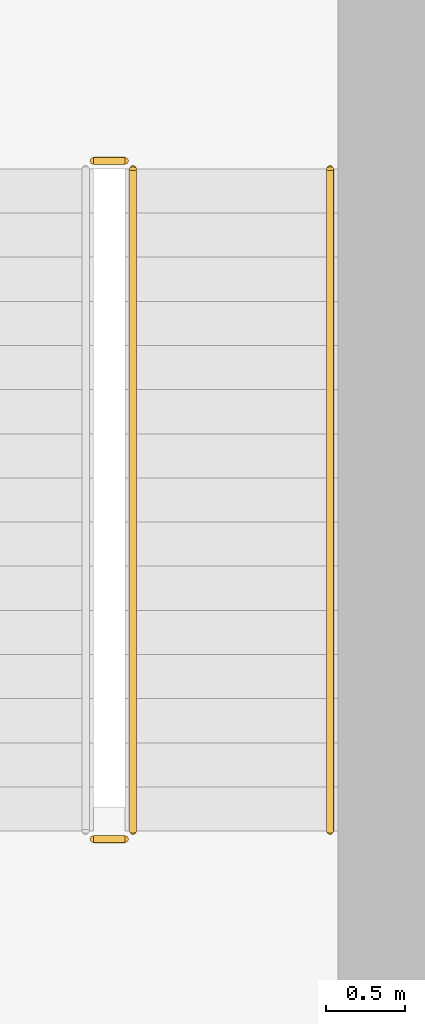
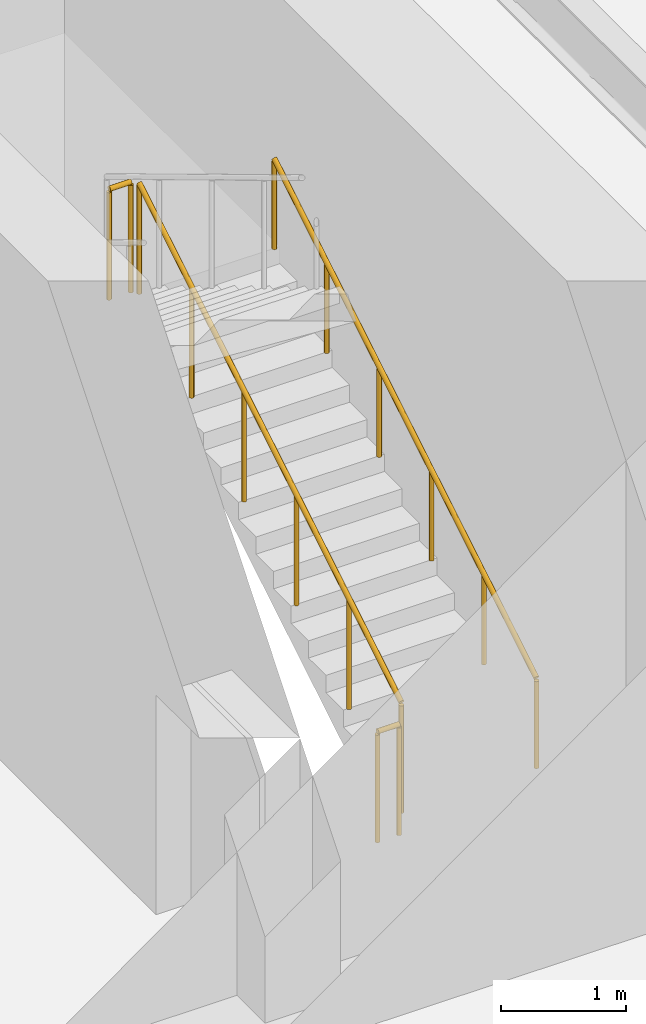
# One storey, part 12 of 12: 4 railings.
"""IFC4 building model written with IfcOpenShell, lengths in metres."""

import ifcopenshell
import ifcopenshell.guid

model = None  # the IFC model being written
_history = None  # IfcOwnerHistory: only IFC2X3 demands one
_inside = {}  # id of a spatial element -> (the spatial element, [elements in it])
_under = {}  # id of a project, library or spatial element -> (it, [spatial elements below it])
_declared = {}  # id of a project -> (the project, [libraries it declares])
_typed = {}  # id of a type object -> (the type object, [elements of that type])
_made_of = {}  # id of a material, layer set ... -> (it, [elements and type objects made of it])


def new_model(schema):
    """Start an empty IFC model of exactly this schema.

    Asked for "IFC4X3", IfcOpenShell would pick the latest addendum, in which some entities
    have other attributes; the version numbers below select the first issue.
    IFC2X3 requires an IfcOwnerHistory on every rooted entity: one is made here for all.
    """
    global model, _history
    if schema == "IFC4X3":
        model = ifcopenshell.file(schema_version=(4, 3, 0, 0))
    else:
        model = ifcopenshell.file(schema=schema)
    _inside.clear()
    _under.clear()
    _declared.clear()
    _typed.clear()
    _made_of.clear()
    _history = None
    if model.schema == "IFC2X3":
        org = make("IfcOrganization", Name="unknown")
        user = make(
            "IfcPersonAndOrganization",
            ThePerson=make("IfcPerson", FamilyName="unknown"),
            TheOrganization=org,
        )
        app = make(
            "IfcApplication",
            ApplicationDeveloper=org,
            Version="unknown",
            ApplicationFullName="unknown",
            ApplicationIdentifier="unknown",
        )
        _history = make(
            "IfcOwnerHistory",
            OwningUser=user,
            OwningApplication=app,
            ChangeAction="ADDED",
            CreationDate=0,
        )
    return model


def make(cls, **values):
    """One entity of the class cls with the attributes given. An attribute that is None is left unset."""
    return model.create_entity(
        cls, **{name: value for name, value in values.items() if value is not None}
    )


def rooted(cls, **values):
    """An entity with a GlobalId (a new one), such as an element, a storey or a relation."""
    return make(cls, GlobalId=ifcopenshell.guid.new(), OwnerHistory=_history, **values)


def si_unit(unit_type, name, prefix=None):
    """IfcSIUnit, for example si_unit("LENGTHUNIT", "METRE", prefix="MILLI")."""
    return make("IfcSIUnit", UnitType=unit_type, Prefix=prefix, Name=name)


def assignment(units):
    """IfcUnitAssignment: the units of a project."""
    return None if units is None else make("IfcUnitAssignment", Units=units)


def point(xyz):
    """IfcCartesianPoint."""
    return None if xyz is None else make("IfcCartesianPoint", Coordinates=xyz)


def direction(xyz):
    """IfcDirection."""
    return None if xyz is None else make("IfcDirection", DirectionRatios=xyz)


def frame(location, z_axis=None, x_axis=None):
    """IfcAxis2Placement3D, a coordinate frame: its origin and axes. An axis left out is left unset."""
    return make(
        "IfcAxis2Placement3D",
        Location=point(location),
        Axis=direction(z_axis),
        RefDirection=direction(x_axis),
    )


def frame_2d(location, x_axis=None):
    """IfcAxis2Placement2D, a coordinate frame in the plane: its origin and x axis."""
    return make(
        "IfcAxis2Placement2D", Location=point(location), RefDirection=direction(x_axis)
    )


def origin():
    """The frame at (0, 0, 0) with its axes left unset."""
    return frame((0.0, 0.0, 0.0))


def origin_2d():
    """The frame at (0, 0) in the plane with its x axis left unset."""
    return frame_2d((0.0, 0.0))


def place(relative_to, where):
    """IfcLocalPlacement: puts the frame where relative to a parent placement (None: the world)."""
    return make(
        "IfcLocalPlacement", PlacementRelTo=relative_to, RelativePlacement=where
    )


def context(
    kind, dimensions, precision=None, world=None, true_north=None, identifier=None
):
    """IfcGeometricRepresentationContext, for example the 3D "Model" context."""
    return make(
        "IfcGeometricRepresentationContext",
        ContextIdentifier=identifier,
        ContextType=kind,
        CoordinateSpaceDimension=dimensions,
        Precision=precision,
        WorldCoordinateSystem=world,
        TrueNorth=true_north,
    )


def subcontext(parent, identifier, kind, view, scale=None):
    """IfcGeometricRepresentationSubContext, for example "Body" below "Model"."""
    return make(
        "IfcGeometricRepresentationSubContext",
        ContextIdentifier=identifier,
        ContextType=kind,
        ParentContext=parent,
        TargetScale=scale,
        TargetView=view,
    )


def project(units=None, contexts=None):
    """IfcProject with its units and contexts."""
    return rooted(
        "IfcProject",
        Name="project",
        RepresentationContexts=contexts,
        UnitsInContext=assignment(units),
    )


def spatial(cls, under=None, at=None, **own):
    """A site, building, storey or space (cls), placed at a placement, below another one or the project."""
    s = rooted(cls, ObjectPlacement=at, **own)
    if under is not None:
        _under.setdefault(under.id(), (under, []))[1].append(s)
    return s


def profile(cls, at=None, kind="AREA", **sizes):
    """A parametric profile (cls). Its sizes go by their IFC names, for example OverallWidth=200.0."""
    return make(cls, ProfileType=kind, Position=at, **sizes)


def circle(**sizes):
    """IfcCircleProfileDef."""
    return profile("IfcCircleProfileDef", **sizes)


def extrude(swept, where, along, depth):
    """IfcExtrudedAreaSolid: the profile swept, set in the frame where, extruded along a direction by depth."""
    return make(
        "IfcExtrudedAreaSolid",
        SweptArea=swept,
        Position=where,
        ExtrudedDirection=direction(along),
        Depth=depth,
    )


def shape(context_of_items, identifier, shape_type, items):
    """IfcShapeRepresentation: the items that make up one representation, for example the "Body"."""
    return make(
        "IfcShapeRepresentation",
        ContextOfItems=context_of_items,
        RepresentationIdentifier=identifier,
        RepresentationType=shape_type,
        Items=items,
    )


def material(Name=None, Category=None):
    """IfcMaterial."""
    return make("IfcMaterial", Name=Name, Category=Category)


def made_of(thing, what):
    """Note that an element or type object is made of a material, layer set ...; save() writes the relation."""
    if what is not None:
        _made_of.setdefault(what.id(), (what, []))[1].append(thing)
    return thing


def type_object(cls, material=None, **own):
    """A type object (cls), such as IfcWallType, which elements share."""
    return made_of(rooted(cls, **own), material)


def element(
    cls,
    number,
    at=None,
    inside=None,
    cuts=None,
    type_object=None,
    material=None,
    context=None,
    identifier="Body",
    shape_type=None,
    held_by="IfcProductDefinitionShape",
    body=None,
    shapes=None,
    **own,
):
    """One element of the class cls, such as IfcWall. Its Tag is "e" and its number.

    at: its placement. inside: the storey or other place that contains it. cuts: it is an
    opening in that element (IfcRelVoidsElement). A single representation is given by context,
    identifier, shape_type and body (its items); several are given by shapes. held_by: the class
    of the entity that holds the representations. save() writes the other relations.
    """
    e = rooted(cls, Tag="e%d" % number, ObjectPlacement=at, **own)
    if body is not None:
        shapes = [shape(context, identifier, shape_type, body)]
    if shapes is not None:
        e.Representation = make(held_by, Representations=shapes)
    if inside is not None:
        _inside.setdefault(inside.id(), (inside, []))[1].append(e)
    if cuts is not None:
        rooted(
            "IfcRelVoidsElement", RelatingBuildingElement=cuts, RelatedOpeningElement=e
        )
    if type_object is not None:
        _typed.setdefault(type_object.id(), (type_object, []))[1].append(e)
    return made_of(e, material)


def aggregate(whole, parts):
    """IfcRelAggregates: a whole, such as a stair, and the parts it consists of."""
    return rooted("IfcRelAggregates", RelatingObject=whole, RelatedObjects=parts)


def save(model, path):
    """Write the relations noted so far, then the file.

    IfcRelAggregates (storeys below a building ...), IfcRelContainedInSpatialStructure (elements
    in a storey), IfcRelDefinesByType, IfcRelAssociatesMaterial and IfcRelDeclares: one each for
    every whole, place, type object, material and project.
    """
    for whole, parts in _under.values():
        aggregate(whole, parts)
    for where, things in _inside.values():
        rooted(
            "IfcRelContainedInSpatialStructure",
            RelatedElements=things,
            RelatingStructure=where,
        )
    for kind, things in _typed.values():
        rooted("IfcRelDefinesByType", RelatedObjects=things, RelatingType=kind)
    for what, things in _made_of.values():
        rooted("IfcRelAssociatesMaterial", RelatedObjects=things, RelatingMaterial=what)
    for by, libraries in _declared.values():
        rooted("IfcRelDeclares", RelatingContext=by, RelatedDefinitions=libraries)
    model.write(path)


model = new_model("IFC4")

# Units and contexts
model_context = context("Model", 3, precision=1e-05, world=origin(), true_north=direction((0.0, 1.0)))
body_context = subcontext(model_context, "Body", "Model", "MODEL_VIEW")
ifc_project = project(units=[si_unit("LENGTHUNIT", "METRE"), si_unit("AREAUNIT", "SQUARE_METRE"), si_unit("VOLUMEUNIT", "CUBIC_METRE"), si_unit("PLANEANGLEUNIT", "RADIAN"), si_unit("MASSUNIT", "GRAM", prefix="KILO")], contexts=[model_context])

# Site, building, storey
site_placement = place(None, origin())
site = spatial("IfcSite", under=ifc_project, at=site_placement, CompositionType="ELEMENT")
building_placement = place(site_placement, origin())
building = spatial("IfcBuilding", under=site, at=building_placement, Name="Caelmar Bay Residences", CompositionType="ELEMENT")
storey_placement = place(building_placement, frame((0.0, 0.0, 24.60009765625)))
storey = spatial("IfcBuildingStorey", under=building, at=storey_placement, Name="L05", CompositionType="ELEMENT", Elevation=24.60009765625)

# Railings
ifc_material_1 = material(Name="Painted galvanized steel stair guard 1100 mm", Category="steel")
railing_type_1 = type_object("IfcRailingType", Name="RL-GRD-1100", PredefinedType="GUARDRAIL", material=ifc_material_1)
railing_1_placement = place(storey_placement, frame((57.85009765625, 38.699951171875, 0.168701171875)))
element("IfcRailing", 1, at=railing_1_placement, inside=storey, type_object=railing_type_1, Name="L05 ST2 stair guard 1", PredefinedType="GUARDRAIL", context=body_context, shape_type="SweptSolid", body=[
    extrude(circle(Radius=0.02392578125, at=origin_2d()), frame((0.0, 0.0, 1.076171875), z_axis=(0.0, 0.856476492594, 0.516186030065), x_axis=(-1.0, 0.0, 0.0)), (0.0, 0.0, 1.0), 4.90380859375),
    extrude(circle(Radius=0.02099609375, at=origin_2d()), origin(), (0.0, 0.0, 1.0), 1.052001953125),
    extrude(circle(Radius=0.02099609375, at=origin_2d()), frame((0.0, 0.840087890625, 0.50634765625)), (0.0, 0.0, 1.0), 1.052001953125),
    extrude(circle(Radius=0.02099609375, at=origin_2d()), frame((0.0, 1.679931640625, 1.012451171875)), (0.0, 0.0, 1.0), 1.052001953125),
    extrude(circle(Radius=0.02099609375, at=origin_2d()), frame((0.0, 2.52001953125, 1.518798828125)), (0.0, 0.0, 1.0), 1.052001953125),
    extrude(circle(Radius=0.02099609375, at=origin_2d()), frame((0.0, 3.35986328125, 2.02490234375)), (0.0, 0.0, 1.0), 1.052001953125),
    extrude(circle(Radius=0.02099609375, at=origin_2d()), frame((0.0, 4.199951171875, 2.53125)), (0.0, 0.0, 1.0), 1.052001953125),
])
for number, where, name in (
    (2, (57.800048828125, 42.949951171875, 2.699951171875), "L05 ST2 stair guard 2"),
    (3, (57.800048828125, 38.64990234375, 0.0), "L05 ST2 stair guard 4"),
):
    element("IfcRailing", number, at=place(storey_placement, frame(where)), inside=storey, type_object=railing_type_1, Name=name, PredefinedType="GUARDRAIL", context=body_context, shape_type="SweptSolid", body=[
        extrude(circle(Radius=0.02392578125, at=origin_2d()), frame((0.0, 0.0, 1.076171875), z_axis=(-1.0, 0.0, 0.0), x_axis=(0.0, -1.0, 0.0)), (0.0, 0.0, 1.0), 0.199951171875),
        extrude(circle(Radius=0.02099609375, at=origin_2d()), origin(), (0.0, 0.0, 1.0), 1.052001953125),
        extrude(circle(Radius=0.02099609375, at=origin_2d()), frame((-0.199951171875, 0.0, 0.0)), (0.0, 0.0, 1.0), 1.052001953125),
    ])
ifc_material_2 = material(Name="Brushed bronze stainless-steel tubular handrail 900 mm", Category="steel")
railing_type_2 = type_object("IfcRailingType", Name="RL-HND-900", PredefinedType="HANDRAIL", material=ifc_material_2)
railing_2_placement = place(storey_placement, frame((59.10009765625, 38.699951171875, 0.168701171875)))
element("IfcRailing", 4, at=railing_2_placement, inside=storey, type_object=railing_type_2, Name="L05 ST2 stair handrail 1", PredefinedType="HANDRAIL", context=body_context, shape_type="SweptSolid", body=[
    extrude(circle(Radius=0.02392578125, at=origin_2d()), frame((0.0, 0.0, 0.8759765625), z_axis=(0.0, 0.856476492594, 0.516186030065), x_axis=(-1.0, 0.0, 0.0)), (0.0, 0.0, 1.0), 4.90380859375),
    extrude(circle(Radius=0.02099609375, at=origin_2d()), origin(), (0.0, 0.0, 1.0), 0.851806640625),
    extrude(circle(Radius=0.02099609375, at=origin_2d()), frame((0.0, 0.840087890625, 0.50634765625)), (0.0, 0.0, 1.0), 0.851806640625),
    extrude(circle(Radius=0.02099609375, at=origin_2d()), frame((0.0, 1.679931640625, 1.012451171875)), (0.0, 0.0, 1.0), 0.851806640625),
    extrude(circle(Radius=0.02099609375, at=origin_2d()), frame((0.0, 2.52001953125, 1.518798828125)), (0.0, 0.0, 1.0), 0.851806640625),
    extrude(circle(Radius=0.02099609375, at=origin_2d()), frame((0.0, 3.35986328125, 2.02490234375)), (0.0, 0.0, 1.0), 0.851806640625),
    extrude(circle(Radius=0.02099609375, at=origin_2d()), frame((0.0, 4.199951171875, 2.53125)), (0.0, 0.0, 1.0), 0.851806640625),
])

save(model, "model.ifc")
